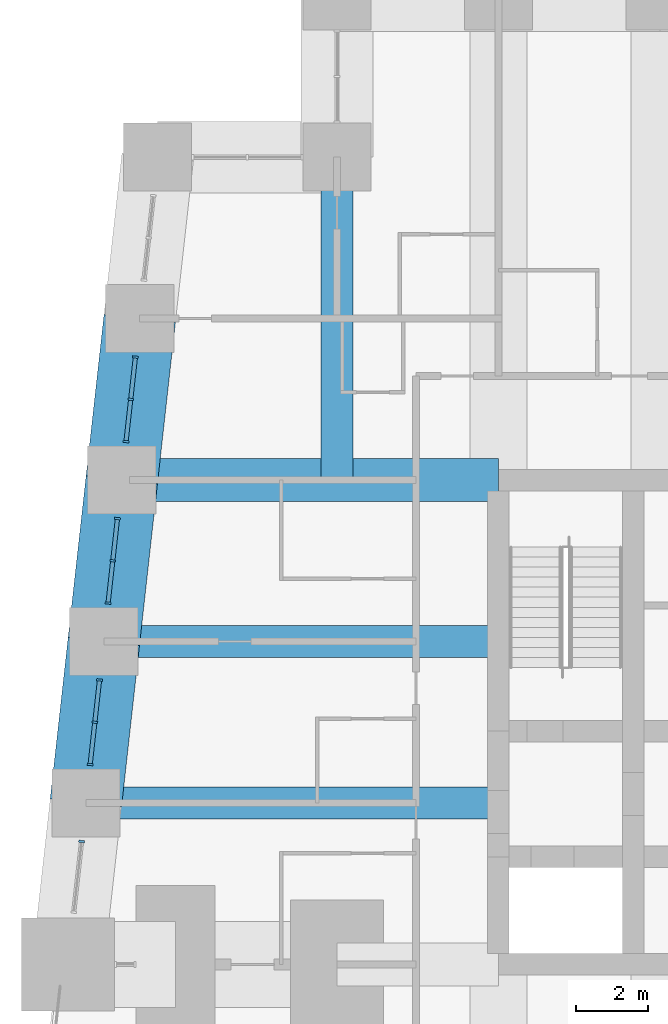
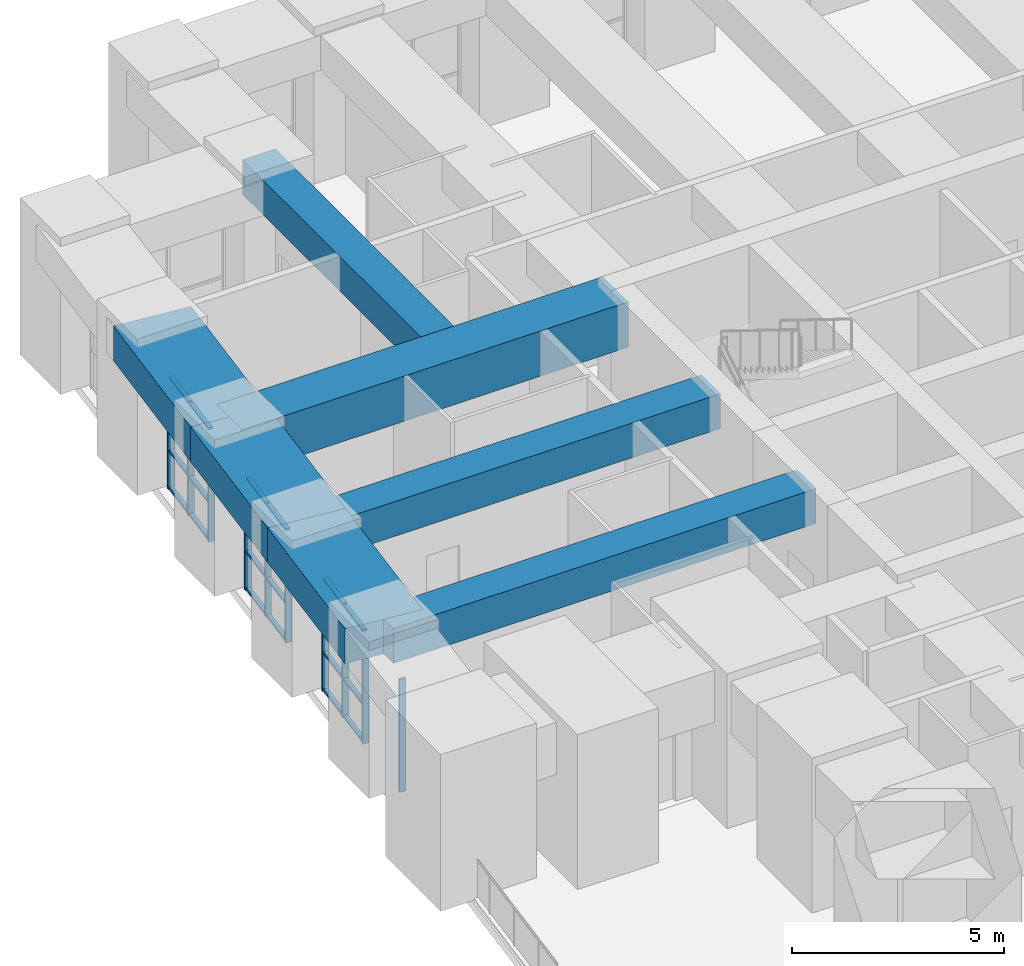
# One storey, part 4 of 16: 28 members, 7 beams, 4 elements without a shape of their own.
"""IFC4 building model written with IfcOpenShell, lengths in metres."""

from ifc_helpers import new_model, si_unit, direction, frame, origin, origin_2d, place, context, subcontext, project, spatial, rectangle, extrude, material, material_profile, profile_set, type_object, element, aggregate, save


model = new_model("IFC4")

# Units and contexts
model_context = context("Model", 3, precision=1e-05, world=origin(), true_north=direction((0.0, 1.0)))
body_context = subcontext(model_context, "Body", "Model", "MODEL_VIEW")
ifc_project = project(units=[si_unit("LENGTHUNIT", "METRE"), si_unit("AREAUNIT", "SQUARE_METRE"), si_unit("VOLUMEUNIT", "CUBIC_METRE"), si_unit("PLANEANGLEUNIT", "RADIAN"), si_unit("MASSUNIT", "GRAM", prefix="KILO")], contexts=[model_context])

# Site, building, storey
site_placement = place(None, origin())
site = spatial("IfcSite", under=ifc_project, at=site_placement, CompositionType="ELEMENT")
building_placement = place(site_placement, origin())
building = spatial("IfcBuilding", under=site, at=building_placement, Name="Kilele Tower Hotel", CompositionType="ELEMENT")
storey_placement = place(building_placement, frame((0.0, 0.0, 157.89990234375)))
storey = spatial("IfcBuildingStorey", under=building, at=storey_placement, Name="L40", CompositionType="ELEMENT", Elevation=157.89990234375)

# Beams
ifc_material_1 = material(Name="Concrete C60/75", Category="concrete")
ifc_material_profile_1 = material_profile(ifc_material_1, rectangle(XDim=0.89990234375, YDim=1.0, at=origin_2d()))
ifc_profile_set_1 = profile_set([ifc_material_profile_1], Name="Concrete C60/75")
beam_type_1 = type_object("IfcBeamType", Name="Beam RC 900x1000 C60/75", PredefinedType="BEAM", material=ifc_profile_set_1)
beam_1_placement = place(storey_placement, frame((9.0, 36.0, 3.75), z_axis=(0.0, -1.0, 0.0), x_axis=(1.0, 0.0, 0.0)))
element("IfcBeam", 1, at=beam_1_placement, inside=storey, type_object=beam_type_1, Name="Beam B8 level L41", PredefinedType="BEAM", context=body_context, shape_type="SweptSolid", body=[
    extrude(rectangle(XDim=0.89990234375, YDim=1.0, at=origin_2d()), origin(), (0.0, 0.0, 1.0), 9.0),
])
beam_2_placement = place(storey_placement, frame((2.5, 22.5, 3.75), z_axis=(1.0, 0.0, 0.0), x_axis=(0.0, 1.0, 0.0)))
element("IfcBeam", 2, at=beam_2_placement, inside=storey, type_object=beam_type_1, Name="Beam B8 level L41", PredefinedType="BEAM", context=body_context, shape_type="SweptSolid", body=[
    extrude(rectangle(XDim=0.89990234375, YDim=1.0, at=origin_2d()), origin(), (0.0, 0.0, 1.0), 11.0),
])
beam_3_placement = place(storey_placement, frame((2.0, 18.0, 3.75), z_axis=(1.0, 0.0, 0.0), x_axis=(0.0, 1.0, 0.0)))
element("IfcBeam", 3, at=beam_3_placement, inside=storey, type_object=beam_type_1, Name="Beam B8 level L41", PredefinedType="BEAM", context=body_context, shape_type="SweptSolid", body=[
    extrude(rectangle(XDim=0.89990234375, YDim=1.0, at=origin_2d()), origin(), (0.0, 0.0, 1.0), 11.5),
])
ifc_material_2 = material(Name="Concrete C60/75", Category="concrete")
ifc_material_profile_2 = material_profile(ifc_material_2, rectangle(XDim=1.199951171875, YDim=1.300048828125, at=origin_2d()))
ifc_profile_set_2 = profile_set([ifc_material_profile_2], Name="Concrete C60/75")
beam_type_2 = type_object("IfcBeamType", Name="Girder RC 1200x1300 C60/75 mid span", PredefinedType="BEAM", material=ifc_profile_set_2)
beam_4_placement = place(storey_placement, frame((3.0, 27.0, 3.60009765625), z_axis=(1.0, 0.0, 0.0), x_axis=(0.0, 1.0, 0.0)))
element("IfcBeam", 4, at=beam_4_placement, inside=storey, type_object=beam_type_2, Name="Girder G3 level L41", PredefinedType="BEAM", context=body_context, shape_type="SweptSolid", body=[
    extrude(rectangle(XDim=1.199951171875, YDim=1.300048828125, at=origin_2d()), origin(), (0.0, 0.0, 1.0), 10.5),
])

# Curtain wall, members
ifc_material_3 = material(Name="Aluminium curtain wall, clear double glazing", Category="aluminium")
curtain_wall_type = type_object("IfcCurtainWallType", Name="Club lounge curtain wall CW-4", PredefinedType="NOTDEFINED", material=ifc_material_3)
curtain_wall_1_placement = place(storey_placement, origin())
curtain_wall_1 = element("IfcCurtainWall", 5, at=curtain_wall_1_placement, inside=storey, type_object=curtain_wall_type, Name="Club lounge curtain wall CW-4 L40", PredefinedType="NOTDEFINED")
ifc_material_4 = material(Name="Aluminium EN AW-6063 T6", Category="aluminium")
ifc_material_profile_3 = material_profile(ifc_material_4, rectangle(XDim=0.159912109375, YDim=0.06005859375, at=origin_2d()))
ifc_profile_set_3 = profile_set([ifc_material_profile_3], Name="Aluminium EN AW-6063 T6")
member_type_1 = type_object("IfcMemberType", Name="Mullion 60x160 CW-4", PredefinedType="MULLION", material=ifc_profile_set_3)
member_1_placement = place(storey_placement, frame((3.380859375, 30.427490234375, 0.0), z_axis=(0.0, 0.0, 1.0), x_axis=(0.993883734714, -0.110431525712, 0.0)))
member_1 = element("IfcMember", 6, at=member_1_placement, type_object=member_type_1, Name="CW-4 mullion 1", PredefinedType="MULLION", context=body_context, shape_type="SweptSolid", body=[
    extrude(rectangle(XDim=0.159912109375, YDim=0.06005859375, at=origin_2d()), origin(), (0.0, 0.0, 1.0), 3.25),
])
member_2_placement = place(storey_placement, frame((3.25, 29.25, 0.0), z_axis=(0.0, 0.0, 1.0), x_axis=(0.993883734714, -0.110431525712, 0.0)))
member_2 = element("IfcMember", 7, at=member_2_placement, type_object=member_type_1, Name="CW-4 mullion 2", PredefinedType="MULLION", context=body_context, shape_type="SweptSolid", body=[
    extrude(rectangle(XDim=0.159912109375, YDim=0.06005859375, at=origin_2d()), origin(), (0.0, 0.0, 1.0), 3.25),
])
member_3_placement = place(storey_placement, frame((3.119140625, 28.072509765625, 0.0), z_axis=(0.0, 0.0, 1.0), x_axis=(0.993883734714, -0.110431525712, 0.0)))
member_3 = element("IfcMember", 8, at=member_3_placement, type_object=member_type_1, Name="CW-4 mullion 3", PredefinedType="MULLION", context=body_context, shape_type="SweptSolid", body=[
    extrude(rectangle(XDim=0.159912109375, YDim=0.06005859375, at=origin_2d()), origin(), (0.0, 0.0, 1.0), 3.25),
])

curtain_wall_2_placement = place(storey_placement, origin())
curtain_wall_2 = element("IfcCurtainWall", 9, at=curtain_wall_2_placement, inside=storey, type_object=curtain_wall_type, Name="Club lounge curtain wall CW-4 L40", PredefinedType="NOTDEFINED")
member_4_placement = place(storey_placement, frame((2.880859375, 25.927490234375, 0.0), z_axis=(0.0, 0.0, 1.0), x_axis=(0.993883734714, -0.110431525712, 0.0)))
member_4 = element("IfcMember", 10, at=member_4_placement, type_object=member_type_1, Name="CW-4 mullion 1", PredefinedType="MULLION", context=body_context, shape_type="SweptSolid", body=[
    extrude(rectangle(XDim=0.159912109375, YDim=0.06005859375, at=origin_2d()), origin(), (0.0, 0.0, 1.0), 3.25),
])
member_5_placement = place(storey_placement, frame((2.75, 24.75, 0.0), z_axis=(0.0, 0.0, 1.0), x_axis=(0.993883734714, -0.110431525712, 0.0)))
member_5 = element("IfcMember", 11, at=member_5_placement, type_object=member_type_1, Name="CW-4 mullion 2", PredefinedType="MULLION", context=body_context, shape_type="SweptSolid", body=[
    extrude(rectangle(XDim=0.159912109375, YDim=0.06005859375, at=origin_2d()), origin(), (0.0, 0.0, 1.0), 3.25),
])
member_6_placement = place(storey_placement, frame((2.619140625, 23.572509765625, 0.0), z_axis=(0.0, 0.0, 1.0), x_axis=(0.993883734714, -0.110431525712, 0.0)))
member_6 = element("IfcMember", 12, at=member_6_placement, type_object=member_type_1, Name="CW-4 mullion 3", PredefinedType="MULLION", context=body_context, shape_type="SweptSolid", body=[
    extrude(rectangle(XDim=0.159912109375, YDim=0.06005859375, at=origin_2d()), origin(), (0.0, 0.0, 1.0), 3.25),
])

curtain_wall_3_placement = place(storey_placement, origin())
curtain_wall_3 = element("IfcCurtainWall", 13, at=curtain_wall_3_placement, inside=storey, type_object=curtain_wall_type, Name="Club lounge curtain wall CW-4 L40", PredefinedType="NOTDEFINED")
member_7_placement = place(storey_placement, frame((2.380859375, 21.427490234375, 0.0), z_axis=(0.0, 0.0, 1.0), x_axis=(0.993883734714, -0.110431525712, 0.0)))
member_7 = element("IfcMember", 14, at=member_7_placement, type_object=member_type_1, Name="CW-4 mullion 1", PredefinedType="MULLION", context=body_context, shape_type="SweptSolid", body=[
    extrude(rectangle(XDim=0.159912109375, YDim=0.06005859375, at=origin_2d()), origin(), (0.0, 0.0, 1.0), 3.25),
])
member_8_placement = place(storey_placement, frame((2.25, 20.25, 0.0), z_axis=(0.0, 0.0, 1.0), x_axis=(0.993883734714, -0.110431525712, 0.0)))
member_8 = element("IfcMember", 15, at=member_8_placement, type_object=member_type_1, Name="CW-4 mullion 2", PredefinedType="MULLION", context=body_context, shape_type="SweptSolid", body=[
    extrude(rectangle(XDim=0.159912109375, YDim=0.06005859375, at=origin_2d()), origin(), (0.0, 0.0, 1.0), 3.25),
])
member_9_placement = place(storey_placement, frame((2.119140625, 19.072509765625, 0.0), z_axis=(0.0, 0.0, 1.0), x_axis=(0.993883734714, -0.110431525712, 0.0)))
member_9 = element("IfcMember", 16, at=member_9_placement, type_object=member_type_1, Name="CW-4 mullion 3", PredefinedType="MULLION", context=body_context, shape_type="SweptSolid", body=[
    extrude(rectangle(XDim=0.159912109375, YDim=0.06005859375, at=origin_2d()), origin(), (0.0, 0.0, 1.0), 3.25),
])

# Curtain wall, member
curtain_wall_4_placement = place(storey_placement, origin())
curtain_wall_4 = element("IfcCurtainWall", 17, at=curtain_wall_4_placement, inside=storey, type_object=curtain_wall_type, Name="Club lounge curtain wall CW-4 L40", PredefinedType="NOTDEFINED")
member_10_placement = place(storey_placement, frame((1.880859375, 16.927490234375, 0.0), z_axis=(0.0, 0.0, 1.0), x_axis=(0.993883734679, -0.110431526024, 0.0)))
member_10 = element("IfcMember", 18, at=member_10_placement, type_object=member_type_1, Name="CW-4 mullion 1", PredefinedType="MULLION", context=body_context, shape_type="SweptSolid", body=[
    extrude(rectangle(XDim=0.159912109375, YDim=0.06005859375, at=origin_2d()), origin(), (0.0, 0.0, 1.0), 3.25),
])
aggregate(curtain_wall_4, [member_10])

# Beams
ifc_material_5 = material(Name="Concrete C60/75", Category="concrete")
ifc_material_profile_4 = material_profile(ifc_material_5, rectangle(XDim=2.0, YDim=1.0, at=origin_2d()))
ifc_profile_set_4 = profile_set([ifc_material_profile_4], Name="Concrete C60/75")
beam_type_3 = type_object("IfcBeamType", Name="Spandrel RC 2000x1000 C60/75", PredefinedType="SPANDREL", material=ifc_profile_set_4)
for number, where, z_axis, x_axis, name in (
    (19, (3.5, 31.5, 3.75), (-0.110431526075, -0.993883734674, 0.0), (0.993883734674, -0.110431526075, 0.0), "Spandrel SP3 level L41"),
    (20, (3.0, 27.0, 3.75), (-0.110431526075, -0.993883734674, 0.0), (0.993883734674, -0.110431526075, 0.0), "Spandrel SP3 level L41"),
    (21, (2.5, 22.5, 3.75), (-0.110431526075, -0.993883734674, 0.0), (0.993883734674, -0.110431526075, 0.0), "Spandrel SP3 level L41"),
):
    element("IfcBeam", number, at=place(storey_placement, frame(where, z_axis=z_axis, x_axis=x_axis)), inside=storey, type_object=beam_type_3, Name=name, PredefinedType="SPANDREL", context=body_context, shape_type="SweptSolid", body=[
        extrude(rectangle(XDim=2.0, YDim=1.0, at=origin_2d()), origin(), (0.0, 0.0, 1.0), 4.527587890625),
    ])

# Member
ifc_material_6 = material(Name="Aluminium EN AW-6063 T6", Category="aluminium")
ifc_material_profile_5 = material_profile(ifc_material_6, rectangle(XDim=0.1201171875, YDim=0.06005859375, at=origin_2d()))
ifc_profile_set_5 = profile_set([ifc_material_profile_5], Name="Aluminium EN AW-6063 T6")
member_type_2 = type_object("IfcMemberType", Name="Transom 60x120 CW-4", PredefinedType="USERDEFINED", material=ifc_profile_set_5)
member_11_placement = place(storey_placement, frame((3.37744140625, 30.397705078125, 0.030029296875), z_axis=(-0.11026476151, -0.993902249907, 0.0), x_axis=(0.993902249907, -0.11026476151, 0.0)))
member_11 = element("IfcMember", 22, at=member_11_placement, type_object=member_type_2, Name="CW-4 transom 1.1", ObjectType="TRANSOM", PredefinedType="USERDEFINED", context=body_context, shape_type="SweptSolid", body=[
    extrude(rectangle(XDim=0.1201171875, YDim=0.06005859375, at=origin_2d()), origin(), (0.0, 0.0, 1.0), 1.124755859375),
])

member_12_placement = place(storey_placement, frame((3.37744140625, 30.397705078125, 1.10009765625), z_axis=(-0.11026476151, -0.993902249907, 0.0), x_axis=(0.993902249907, -0.11026476151, 0.0)))
member_12 = element("IfcMember", 23, at=member_12_placement, type_object=member_type_2, Name="CW-4 transom 1.2", ObjectType="TRANSOM", PredefinedType="USERDEFINED", context=body_context, shape_type="SweptSolid", body=[
    extrude(rectangle(XDim=0.1201171875, YDim=0.06005859375, at=origin_2d()), origin(), (0.0, 0.0, 1.0), 1.124755859375),
])

member_13_placement = place(storey_placement, frame((3.37744140625, 30.397705078125, 3.22021484375), z_axis=(-0.11026476151, -0.993902249907, 0.0), x_axis=(0.993902249907, -0.11026476151, 0.0)))
member_13 = element("IfcMember", 24, at=member_13_placement, type_object=member_type_2, Name="CW-4 transom 1.3", ObjectType="TRANSOM", PredefinedType="USERDEFINED", context=body_context, shape_type="SweptSolid", body=[
    extrude(rectangle(XDim=0.1201171875, YDim=0.06005859375, at=origin_2d()), origin(), (0.0, 0.0, 1.0), 1.124755859375),
])

member_14_placement = place(storey_placement, frame((3.24658203125, 29.22021484375, 0.030029296875), z_axis=(-0.11026476151, -0.993902249907, 0.0), x_axis=(0.993902249907, -0.11026476151, 0.0)))
member_14 = element("IfcMember", 25, at=member_14_placement, type_object=member_type_2, Name="CW-4 transom 2.1", ObjectType="TRANSOM", PredefinedType="USERDEFINED", context=body_context, shape_type="SweptSolid", body=[
    extrude(rectangle(XDim=0.1201171875, YDim=0.06005859375, at=origin_2d()), origin(), (0.0, 0.0, 1.0), 1.124755859375),
])

member_15_placement = place(storey_placement, frame((3.24658203125, 29.22021484375, 1.10009765625), z_axis=(-0.11026476151, -0.993902249907, 0.0), x_axis=(0.993902249907, -0.11026476151, 0.0)))
member_15 = element("IfcMember", 26, at=member_15_placement, type_object=member_type_2, Name="CW-4 transom 2.2", ObjectType="TRANSOM", PredefinedType="USERDEFINED", context=body_context, shape_type="SweptSolid", body=[
    extrude(rectangle(XDim=0.1201171875, YDim=0.06005859375, at=origin_2d()), origin(), (0.0, 0.0, 1.0), 1.124755859375),
])

member_16_placement = place(storey_placement, frame((3.24658203125, 29.22021484375, 3.22021484375), z_axis=(-0.11026476151, -0.993902249907, 0.0), x_axis=(0.993902249907, -0.11026476151, 0.0)))
member_16 = element("IfcMember", 27, at=member_16_placement, type_object=member_type_2, Name="CW-4 transom 2.3", ObjectType="TRANSOM", PredefinedType="USERDEFINED", context=body_context, shape_type="SweptSolid", body=[
    extrude(rectangle(XDim=0.1201171875, YDim=0.06005859375, at=origin_2d()), origin(), (0.0, 0.0, 1.0), 1.124755859375),
])

aggregate(curtain_wall_1, [member_1, member_2, member_3, member_11, member_12, member_13, member_14, member_15, member_16])

member_17_placement = place(storey_placement, frame((2.87744140625, 25.897705078125, 0.030029296875), z_axis=(-0.11026476151, -0.993902249907, 0.0), x_axis=(0.993902249907, -0.11026476151, 0.0)))
member_17 = element("IfcMember", 28, at=member_17_placement, type_object=member_type_2, Name="CW-4 transom 1.1", ObjectType="TRANSOM", PredefinedType="USERDEFINED", context=body_context, shape_type="SweptSolid", body=[
    extrude(rectangle(XDim=0.1201171875, YDim=0.06005859375, at=origin_2d()), origin(), (0.0, 0.0, 1.0), 1.124755859375),
])

member_18_placement = place(storey_placement, frame((2.87744140625, 25.897705078125, 1.10009765625), z_axis=(-0.11026476151, -0.993902249907, 0.0), x_axis=(0.993902249907, -0.11026476151, 0.0)))
member_18 = element("IfcMember", 29, at=member_18_placement, type_object=member_type_2, Name="CW-4 transom 1.2", ObjectType="TRANSOM", PredefinedType="USERDEFINED", context=body_context, shape_type="SweptSolid", body=[
    extrude(rectangle(XDim=0.1201171875, YDim=0.06005859375, at=origin_2d()), origin(), (0.0, 0.0, 1.0), 1.124755859375),
])

member_19_placement = place(storey_placement, frame((2.87744140625, 25.897705078125, 3.22021484375), z_axis=(-0.11026476151, -0.993902249907, 0.0), x_axis=(0.993902249907, -0.11026476151, 0.0)))
member_19 = element("IfcMember", 30, at=member_19_placement, type_object=member_type_2, Name="CW-4 transom 1.3", ObjectType="TRANSOM", PredefinedType="USERDEFINED", context=body_context, shape_type="SweptSolid", body=[
    extrude(rectangle(XDim=0.1201171875, YDim=0.06005859375, at=origin_2d()), origin(), (0.0, 0.0, 1.0), 1.124755859375),
])

member_20_placement = place(storey_placement, frame((2.74658203125, 24.72021484375, 0.030029296875), z_axis=(-0.11026476151, -0.993902249907, 0.0), x_axis=(0.993902249907, -0.11026476151, 0.0)))
member_20 = element("IfcMember", 31, at=member_20_placement, type_object=member_type_2, Name="CW-4 transom 2.1", ObjectType="TRANSOM", PredefinedType="USERDEFINED", context=body_context, shape_type="SweptSolid", body=[
    extrude(rectangle(XDim=0.1201171875, YDim=0.06005859375, at=origin_2d()), origin(), (0.0, 0.0, 1.0), 1.124755859375),
])

member_21_placement = place(storey_placement, frame((2.74658203125, 24.72021484375, 1.10009765625), z_axis=(-0.11026476151, -0.993902249907, 0.0), x_axis=(0.993902249907, -0.11026476151, 0.0)))
member_21 = element("IfcMember", 32, at=member_21_placement, type_object=member_type_2, Name="CW-4 transom 2.2", ObjectType="TRANSOM", PredefinedType="USERDEFINED", context=body_context, shape_type="SweptSolid", body=[
    extrude(rectangle(XDim=0.1201171875, YDim=0.06005859375, at=origin_2d()), origin(), (0.0, 0.0, 1.0), 1.124755859375),
])

member_22_placement = place(storey_placement, frame((2.74658203125, 24.72021484375, 3.22021484375), z_axis=(-0.11026476151, -0.993902249907, 0.0), x_axis=(0.993902249907, -0.11026476151, 0.0)))
member_22 = element("IfcMember", 33, at=member_22_placement, type_object=member_type_2, Name="CW-4 transom 2.3", ObjectType="TRANSOM", PredefinedType="USERDEFINED", context=body_context, shape_type="SweptSolid", body=[
    extrude(rectangle(XDim=0.1201171875, YDim=0.06005859375, at=origin_2d()), origin(), (0.0, 0.0, 1.0), 1.124755859375),
])

aggregate(curtain_wall_2, [member_4, member_5, member_6, member_17, member_18, member_19, member_20, member_21, member_22])

member_23_placement = place(storey_placement, frame((2.37744140625, 21.397705078125, 0.030029296875), z_axis=(-0.11026476151, -0.993902249907, 0.0), x_axis=(0.993902249907, -0.11026476151, 0.0)))
member_23 = element("IfcMember", 34, at=member_23_placement, type_object=member_type_2, Name="CW-4 transom 1.1", ObjectType="TRANSOM", PredefinedType="USERDEFINED", context=body_context, shape_type="SweptSolid", body=[
    extrude(rectangle(XDim=0.1201171875, YDim=0.06005859375, at=origin_2d()), origin(), (0.0, 0.0, 1.0), 1.124755859375),
])

member_24_placement = place(storey_placement, frame((2.37744140625, 21.397705078125, 1.10009765625), z_axis=(-0.11026476151, -0.993902249907, 0.0), x_axis=(0.993902249907, -0.11026476151, 0.0)))
member_24 = element("IfcMember", 35, at=member_24_placement, type_object=member_type_2, Name="CW-4 transom 1.2", ObjectType="TRANSOM", PredefinedType="USERDEFINED", context=body_context, shape_type="SweptSolid", body=[
    extrude(rectangle(XDim=0.1201171875, YDim=0.06005859375, at=origin_2d()), origin(), (0.0, 0.0, 1.0), 1.124755859375),
])

member_25_placement = place(storey_placement, frame((2.37744140625, 21.397705078125, 3.22021484375), z_axis=(-0.11026476151, -0.993902249907, 0.0), x_axis=(0.993902249907, -0.11026476151, 0.0)))
member_25 = element("IfcMember", 36, at=member_25_placement, type_object=member_type_2, Name="CW-4 transom 1.3", ObjectType="TRANSOM", PredefinedType="USERDEFINED", context=body_context, shape_type="SweptSolid", body=[
    extrude(rectangle(XDim=0.1201171875, YDim=0.06005859375, at=origin_2d()), origin(), (0.0, 0.0, 1.0), 1.124755859375),
])

member_26_placement = place(storey_placement, frame((2.24658203125, 20.22021484375, 0.030029296875), z_axis=(-0.11026476151, -0.993902249907, 0.0), x_axis=(0.993902249907, -0.11026476151, 0.0)))
member_26 = element("IfcMember", 37, at=member_26_placement, type_object=member_type_2, Name="CW-4 transom 2.1", ObjectType="TRANSOM", PredefinedType="USERDEFINED", context=body_context, shape_type="SweptSolid", body=[
    extrude(rectangle(XDim=0.1201171875, YDim=0.06005859375, at=origin_2d()), origin(), (0.0, 0.0, 1.0), 1.124755859375),
])

member_27_placement = place(storey_placement, frame((2.24658203125, 20.22021484375, 1.10009765625), z_axis=(-0.11026476151, -0.993902249907, 0.0), x_axis=(0.993902249907, -0.11026476151, 0.0)))
member_27 = element("IfcMember", 38, at=member_27_placement, type_object=member_type_2, Name="CW-4 transom 2.2", ObjectType="TRANSOM", PredefinedType="USERDEFINED", context=body_context, shape_type="SweptSolid", body=[
    extrude(rectangle(XDim=0.1201171875, YDim=0.06005859375, at=origin_2d()), origin(), (0.0, 0.0, 1.0), 1.124755859375),
])

member_28_placement = place(storey_placement, frame((2.24658203125, 20.22021484375, 3.22021484375), z_axis=(-0.11026476151, -0.993902249907, 0.0), x_axis=(0.993902249907, -0.11026476151, 0.0)))
member_28 = element("IfcMember", 39, at=member_28_placement, type_object=member_type_2, Name="CW-4 transom 2.3", ObjectType="TRANSOM", PredefinedType="USERDEFINED", context=body_context, shape_type="SweptSolid", body=[
    extrude(rectangle(XDim=0.1201171875, YDim=0.06005859375, at=origin_2d()), origin(), (0.0, 0.0, 1.0), 1.124755859375),
])

aggregate(curtain_wall_3, [member_7, member_8, member_9, member_23, member_24, member_25, member_26, member_27, member_28])

save(model, "model.ifc")
